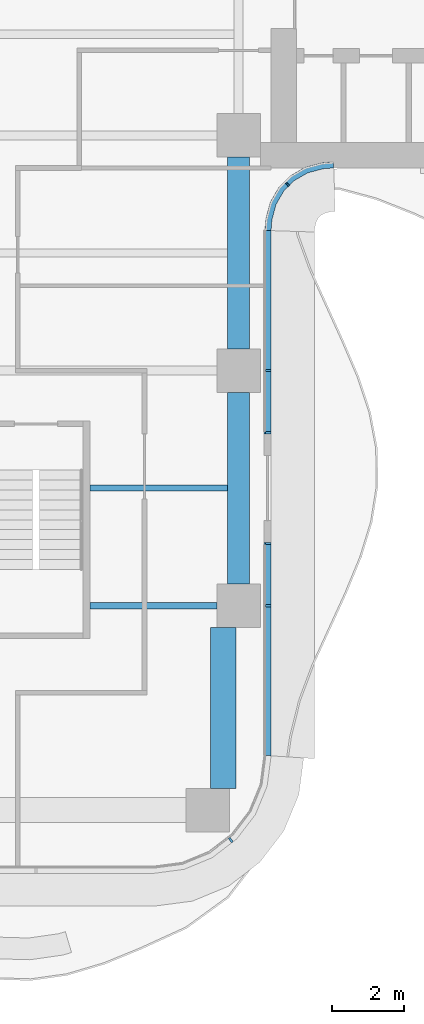
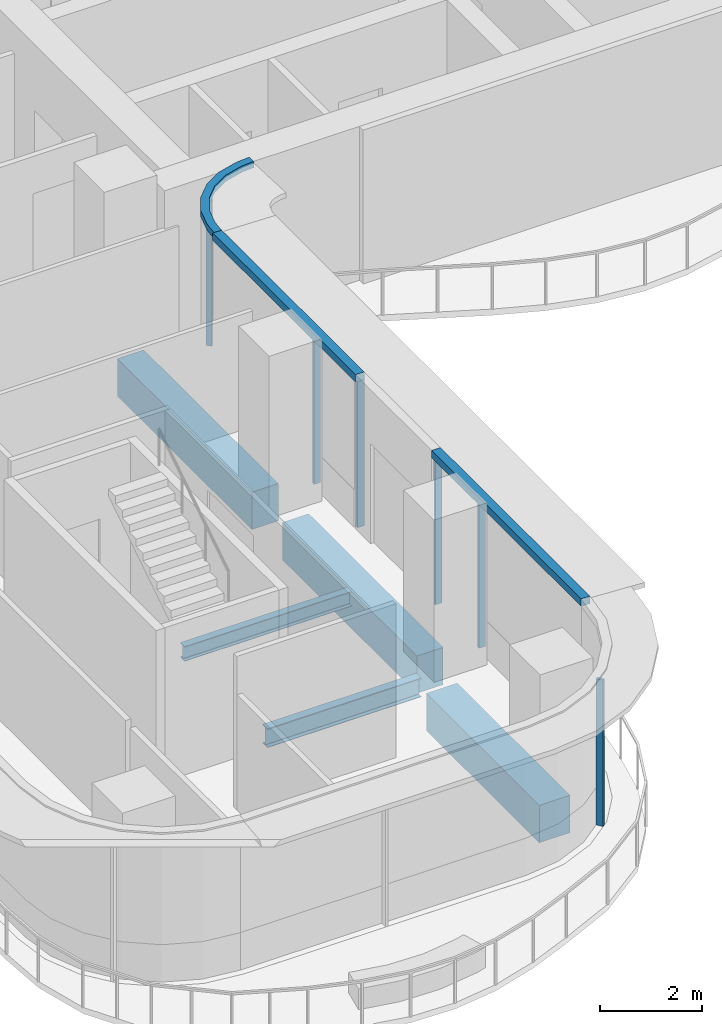
# One storey, part 5 of 18: 9 members, 5 beams, 4 elements without a shape of their own.
"""IFC4 building model written with IfcOpenShell, lengths in metres."""

from ifc_helpers import new_model, si_unit, direction, frame, origin, origin_2d, place, context, subcontext, project, spatial, polyline, rectangle, i_section, outline, extrude, source, transform, mapped, material, layer, layer_set, material_profile, profile_set, type_object, element, aggregate, save


model = new_model("IFC4")

# Units and contexts
model_context = context("Model", 3, precision=1e-05, world=origin(), true_north=direction((0.0, 1.0)))
body_context = subcontext(model_context, "Body", "Model", "MODEL_VIEW")
ifc_project = project(units=[si_unit("LENGTHUNIT", "METRE"), si_unit("AREAUNIT", "SQUARE_METRE"), si_unit("VOLUMEUNIT", "CUBIC_METRE"), si_unit("PLANEANGLEUNIT", "RADIAN"), si_unit("MASSUNIT", "GRAM", prefix="KILO")], contexts=[model_context])

# Site, building, storey
site_placement = place(None, origin())
site = spatial("IfcSite", under=ifc_project, at=site_placement, CompositionType="ELEMENT")
building_placement = place(site_placement, origin())
building = spatial("IfcBuilding", under=site, at=building_placement, Name="Trellis Farm Tower", CompositionType="ELEMENT")
storey_placement = place(building_placement, frame((0.0, 0.0, 189.300048828125)))
storey = spatial("IfcBuildingStorey", under=building, at=storey_placement, Name="L41", CompositionType="ELEMENT", Elevation=189.300048828125)

# Beams
ifc_material_1 = material(Name="Steel S355", Category="steel")
ifc_material_profile_1 = material_profile(ifc_material_1, i_section(OverallWidth=0.1904296875, OverallDepth=0.45703125, WebThickness=0.009033203125, FlangeThickness=0.014404296875, FilletRadius=0.01025390625, at=origin_2d()), Name="UB 457x191x74")
ifc_profile_set_1 = profile_set([ifc_material_profile_1], Name="Steel S355")
beam_type_1 = type_object("IfcBeamType", Name="UB 457x191x74", PredefinedType="BEAM", material=ifc_profile_set_1)
shared_shape_1 = source(origin(), body_context, "Body", "SweptSolid", [
    extrude(i_section(OverallWidth=0.1904296875, OverallDepth=0.45703125, WebThickness=0.009033203125, FlangeThickness=0.014404296875, FilletRadius=0.01025390625, at=origin_2d()), origin(), (0.0, 0.0, 1.0), 3.5),
])
beam_1_placement = place(storey_placement, frame((1.5, -18.60009765625, -0.428466796875), z_axis=(1.0, 0.0, 0.0), x_axis=(0.0, 1.0, 0.0)))
element("IfcBeam", 1, at=beam_1_placement, inside=storey, type_object=beam_type_1, Name="Girder", PredefinedType="BEAM", context=body_context, shape_type="MappedRepresentation", body=[
    mapped(shared_shape_1, transform((0.0, 0.0, 0.0))),
])
ifc_material_2 = material(Name="Concrete C60/75", Category="concrete")
ifc_material_profile_2 = material_profile(ifc_material_2, rectangle(XDim=0.60009765625, YDim=0.89990234375, at=origin_2d()), Name="RC spandrel beam 600x900 C60/75")
ifc_profile_set_2 = profile_set([ifc_material_profile_2], Name="Concrete C60/75")
beam_type_2 = type_object("IfcBeamType", Name="RC spandrel beam 600x900 C60/75", PredefinedType="SPANDREL", material=ifc_profile_set_2)
shared_shape_2 = source(origin(), body_context, "Body", "SweptSolid", [
    extrude(rectangle(XDim=0.60009765625, YDim=0.89990234375, at=origin_2d()), origin(), (0.0, 0.0, 1.0), 5.300048828125),
])
for number, where, z_axis, x_axis, name in (
    (2, (5.60009765625, -18.0, -0.650146484375), (0.0, 1.0, 0.0), (-1.0, 0.0, 0.0), "Girder"),
    (3, (5.60009765625, -11.5, -0.650146484375), (0.0, 1.0, 0.0), (-1.0, 0.0, 0.0), "Girder"),
):
    element("IfcBeam", number, at=place(storey_placement, frame(where, z_axis=z_axis, x_axis=x_axis)), inside=storey, type_object=beam_type_2, Name=name, PredefinedType="SPANDREL", context=body_context, shape_type="MappedRepresentation", body=[
        mapped(shared_shape_2, transform((0.0, 0.0, 0.0))),
    ])
ifc_material_profile_3 = material_profile(ifc_material_2, rectangle(XDim=0.699951171875, YDim=0.89990234375, at=origin_2d()), Name="RC spandrel beam 700x900 C60/75")
ifc_profile_set_3 = profile_set([ifc_material_profile_3], Name="Concrete C60/75")
beam_type_3 = type_object("IfcBeamType", Name="RC spandrel beam 700x900 C60/75", PredefinedType="SPANDREL", material=ifc_profile_set_3)
shared_shape_3 = source(origin(), body_context, "Body", "SweptSolid", [
    extrude(rectangle(XDim=0.699951171875, YDim=0.89990234375, at=origin_2d()), origin(), (0.0, 0.0, 1.0), 4.449951171875),
])
beam_2_placement = place(storey_placement, frame((5.175048828125, -23.64990234375, -0.650146484375), z_axis=(0.0, 1.0, 0.0), x_axis=(-1.0, 0.0, 0.0)))
element("IfcBeam", 4, at=beam_2_placement, inside=storey, type_object=beam_type_3, Name="Girder", PredefinedType="SPANDREL", context=body_context, shape_type="MappedRepresentation", body=[
    mapped(shared_shape_3, transform((0.0, 0.0, 0.0))),
])
ifc_material_profile_4 = material_profile(ifc_material_1, i_section(OverallWidth=0.17138671875, OverallDepth=0.35498046875, WebThickness=0.00732421875, FlangeThickness=0.011474609375, FilletRadius=0.01025390625, at=origin_2d()), Name="UB 356x171x51")
ifc_profile_set_4 = profile_set([ifc_material_profile_4], Name="Steel S355")
beam_type_4 = type_object("IfcBeamType", Name="UB 356x171x51 joist", PredefinedType="JOIST", material=ifc_profile_set_4)
shared_shape_4 = source(origin(), body_context, "Body", "SweptSolid", [
    extrude(i_section(OverallWidth=0.17138671875, OverallDepth=0.35498046875, WebThickness=0.00732421875, FlangeThickness=0.011474609375, FilletRadius=0.01025390625, at=origin_2d()), origin(), (0.0, 0.0, 1.0), 3.800048828125),
])
beam_3_placement = place(storey_placement, frame((1.5, -15.35009765625, -0.37744140625), z_axis=(1.0, 0.0, 0.0), x_axis=(0.0, 1.0, 0.0)))
element("IfcBeam", 5, at=beam_3_placement, inside=storey, type_object=beam_type_4, Name="Floor beam", PredefinedType="JOIST", context=body_context, shape_type="MappedRepresentation", body=[
    mapped(shared_shape_4, transform((0.0, 0.0, 0.0))),
])

# Curtain wall, member
ifc_material_3 = material(Name="Aluminium and glass curtain wall", Category="aluminium")
ifc_layer_1 = layer(ifc_material_3, 0.166015625)
ifc_layer_set_1 = layer_set([ifc_layer_1], Name="WINTER GARDEN CURTAIN WALL CW3")
curtain_wall_type_1 = type_object("IfcCurtainWallType", Name="WINTER GARDEN CURTAIN WALL CW3", PredefinedType="NOTDEFINED", material=ifc_layer_set_1)
placement_1 = place(storey_placement, origin())
curtain_wall_1 = element("IfcCurtainWall", 6, at=placement_1, inside=storey, type_object=curtain_wall_type_1, Name="CW3 002", PredefinedType="NOTDEFINED")
ifc_material_4 = material(Name="Aluminium extrusion 6063-T6", Category="aluminium")
ifc_layer_2 = layer(ifc_material_4, 0.169921875)
ifc_layer_set_2 = layer_set([ifc_layer_2], Name="Aluminium extrusion 6063-T6")
member_type_1 = type_object("IfcMemberType", Name="CW3 TRANSOM 170x150", PredefinedType="USERDEFINED", material=ifc_layer_set_2)
shared_shape_5 = source(origin(), body_context, "Body", "SweptSolid", [
    extrude(outline(polyline([(6.5, -8.2314453125), (6.513916015625, -8.01953125), (6.527587890625, -7.91552734375), (6.63671875, -7.508544921875), (6.846923828125, -7.144287109375), (7.144287109375, -6.846923828125), (7.508544921875, -6.63671875), (7.91552734375, -6.527587890625), (8.01953125, -6.513916015625), (8.2314453125, -6.5), (8.225830078125, -6.330078125), (8.0029296875, -6.3447265625), (7.88232421875, -6.360595703125), (7.44287109375, -6.478271484375), (7.0400390625, -6.7109375), (6.7109375, -7.0400390625), (6.478271484375, -7.44287109375), (6.360595703125, -7.88232421875), (6.3447265625, -8.0029296875), (6.330078125, -8.225830078125), (6.5, -8.2314453125)])), origin(), (0.0, 0.0, 1.0), 0.14990234375),
])
member_1_placement = place(storey_placement, frame((0.0, 0.0, 3.550048828125)))
member_1 = element("IfcMember", 7, at=member_1_placement, type_object=member_type_1, Name="TR3 002", ObjectType="TRANSOM", PredefinedType="USERDEFINED", context=body_context, shape_type="MappedRepresentation", body=[
    mapped(shared_shape_5, transform((0.0, 0.0, 0.0))),
])

ifc_layer_3 = layer(ifc_material_3, 0.18994140625)
ifc_layer_set_3 = layer_set([ifc_layer_3], Name="RIBBON CURTAIN WALL CW1")
curtain_wall_type_2 = type_object("IfcCurtainWallType", Name="RIBBON CURTAIN WALL CW1", PredefinedType="NOTDEFINED", material=ifc_layer_set_3)
curtain_wall_2 = element("IfcCurtainWall", 8, at=placement_1, inside=storey, type_object=curtain_wall_type_2, Name="CW1 003", PredefinedType="NOTDEFINED")
ifc_material_profile_5 = material_profile(ifc_material_4, rectangle(XDim=0.06005859375, YDim=0.14990234375, at=origin_2d()), Name="MULLION 60x150")
ifc_profile_set_5 = profile_set([ifc_material_profile_5], Name="Aluminium extrusion 6063-T6")
member_type_2 = type_object("IfcMemberType", Name="CW1 MULLION 60x150", PredefinedType="MULLION", material=ifc_profile_set_5)
shared_shape_6 = source(origin(), body_context, "Body", "SweptSolid", [
    extrude(rectangle(XDim=0.06005859375, YDim=0.14990234375, at=origin_2d()), origin(), (0.0, 0.0, 1.0), 3.52001953125),
])
member_2_placement = place(storey_placement, frame((5.385498046875, -25.078369140625, 0.0), z_axis=(0.0, 0.0, 1.0), x_axis=(0.793353340291, 0.608761429009, 0.0)))
member_2 = element("IfcMember", 9, at=member_2_placement, type_object=member_type_2, Name="MU1 003-02", PredefinedType="MULLION", context=body_context, shape_type="MappedRepresentation", body=[
    mapped(shared_shape_6, transform((0.0, 0.0, 0.0))),
])
aggregate(curtain_wall_2, [member_2])

# Curtain wall, members
curtain_wall_3 = element("IfcCurtainWall", 10, at=placement_1, inside=storey, type_object=curtain_wall_type_2, Name="CW1 004", PredefinedType="NOTDEFINED")
member_3_placement = place(storey_placement, frame((6.425048828125, -18.60009765625, 0.0), z_axis=(0.0, 0.0, 1.0), x_axis=(0.0, 1.0, 0.0)))
member_3 = element("IfcMember", 11, at=member_3_placement, type_object=member_type_2, Name="MU1 004-01", PredefinedType="MULLION", context=body_context, shape_type="MappedRepresentation", body=[
    mapped(shared_shape_6, transform((0.0, 0.0, 0.0))),
])
member_4_placement = place(storey_placement, frame((6.425048828125, -16.8798828125, 0.0), z_axis=(0.0, 0.0, 1.0), x_axis=(0.0, 1.0, 0.0)))
member_4 = element("IfcMember", 12, at=member_4_placement, type_object=member_type_2, Name="MU1 004-02", PredefinedType="MULLION", context=body_context, shape_type="MappedRepresentation", body=[
    mapped(shared_shape_6, transform((0.0, 0.0, 0.0))),
])

curtain_wall_4 = element("IfcCurtainWall", 13, at=placement_1, inside=storey, type_object=curtain_wall_type_2, Name="CW1 005", PredefinedType="NOTDEFINED")
member_5_placement = place(storey_placement, frame((6.425048828125, -13.820068359375, 0.0), z_axis=(0.0, 0.0, 1.0), x_axis=(0.0, 1.0, 0.0)))
member_5 = element("IfcMember", 14, at=member_5_placement, type_object=member_type_2, Name="MU1 005-01", PredefinedType="MULLION", context=body_context, shape_type="MappedRepresentation", body=[
    mapped(shared_shape_6, transform((0.0, 0.0, 0.0))),
])
member_6_placement = place(storey_placement, frame((6.425048828125, -12.10009765625, 0.0), z_axis=(0.0, 0.0, 1.0), x_axis=(0.0, 1.0, 0.0)))
member_6 = element("IfcMember", 15, at=member_6_placement, type_object=member_type_2, Name="MU1 005-02", PredefinedType="MULLION", context=body_context, shape_type="MappedRepresentation", body=[
    mapped(shared_shape_6, transform((0.0, 0.0, 0.0))),
])

# Member
ifc_layer_4 = layer(ifc_material_4, 0.199951171875)
ifc_layer_set_4 = layer_set([ifc_layer_4], Name="Aluminium extrusion 6063-T6")
member_type_3 = type_object("IfcMemberType", Name="CW1 TRANSOM 200x180", PredefinedType="USERDEFINED", material=ifc_layer_set_4)
shared_shape_7 = source(origin(), body_context, "Body", "SweptSolid", [
    extrude(outline(polyline([(6.5, -22.75), (6.5, -16.85009765625), (6.300048828125, -16.85009765625), (6.300048828125, -22.73681640625), (6.5, -22.75)])), origin(), (0.0, 0.0, 1.0), 0.179931640625),
])
placement_2 = place(storey_placement, frame((0.0, 0.0, 3.52001953125)))
member_7 = element("IfcMember", 16, at=placement_2, type_object=member_type_3, Name="TR1 004", ObjectType="TRANSOM", PredefinedType="USERDEFINED", context=body_context, shape_type="MappedRepresentation", body=[
    mapped(shared_shape_7, transform((0.0, 0.0, 0.0))),
])

aggregate(curtain_wall_3, [member_3, member_4, member_7])

shared_shape_8 = source(origin(), body_context, "Body", "SweptSolid", [
    extrude(outline(polyline([(6.5, -13.85009765625), (6.5, -8.2314453125), (6.300048828125, -8.224853515625), (6.300048828125, -13.85009765625), (6.5, -13.85009765625)])), origin(), (0.0, 0.0, 1.0), 0.179931640625),
])
member_8 = element("IfcMember", 17, at=placement_2, type_object=member_type_3, Name="TR1 005", ObjectType="TRANSOM", PredefinedType="USERDEFINED", context=body_context, shape_type="MappedRepresentation", body=[
    mapped(shared_shape_8, transform((0.0, 0.0, 0.0))),
])

aggregate(curtain_wall_4, [member_5, member_6, member_8])

ifc_material_profile_6 = material_profile(ifc_material_4, rectangle(XDim=0.050048828125, YDim=0.1201171875, at=origin_2d()), Name="MULLION 50x120")
ifc_profile_set_6 = profile_set([ifc_material_profile_6], Name="Aluminium extrusion 6063-T6")
member_type_4 = type_object("IfcMemberType", Name="CW3 MULLION 50x120", PredefinedType="MULLION", material=ifc_profile_set_6)
shared_shape_9 = source(origin(), body_context, "Body", "SweptSolid", [
    extrude(rectangle(XDim=0.050048828125, YDim=0.1201171875, at=origin_2d()), origin(), (0.0, 0.0, 1.0), 3.550048828125),
])
member_9_placement = place(storey_placement, frame((6.953125, -6.953125, 0.0), z_axis=(0.0, 0.0, 1.0), x_axis=(0.707106781187, 0.707106781187, 0.0)))
member_9 = element("IfcMember", 18, at=member_9_placement, type_object=member_type_4, Name="MU3 002-01", PredefinedType="MULLION", context=body_context, shape_type="MappedRepresentation", body=[
    mapped(shared_shape_9, transform((0.0, 0.0, 0.0))),
])

aggregate(curtain_wall_1, [member_9, member_1])

save(model, "model.ifc")
